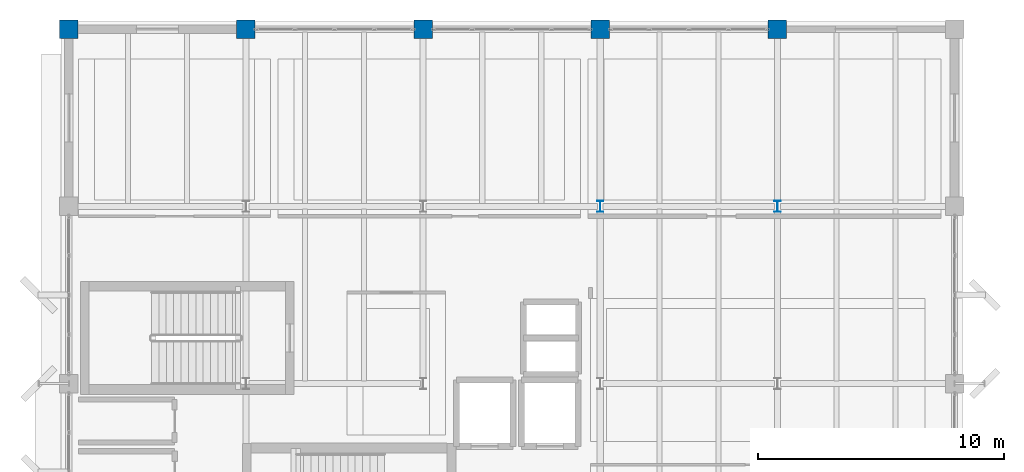
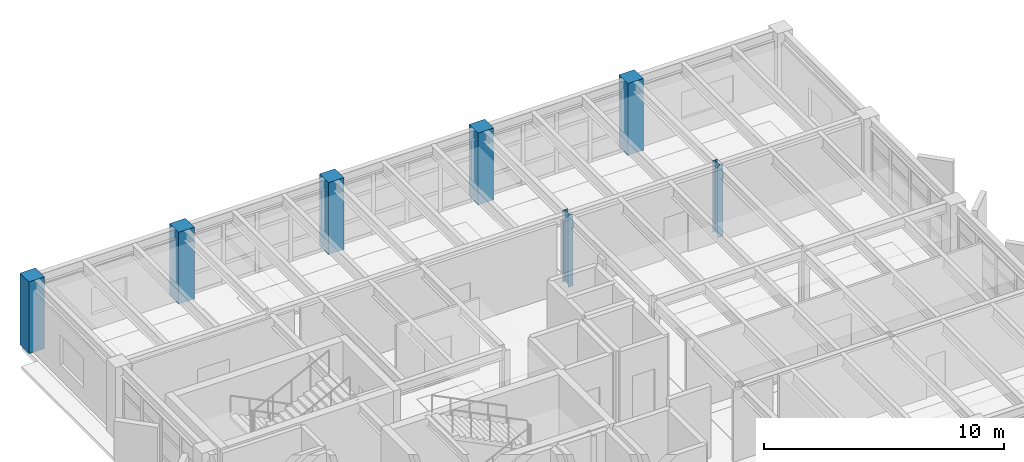
# One storey, part 2 of 24: 7 columns.
"""IFC4 building model written with IfcOpenShell, lengths in metres."""

import ifcopenshell
import ifcopenshell.guid

model = None  # the IFC model being written
_history = None  # IfcOwnerHistory: only IFC2X3 demands one
_inside = {}  # id of a spatial element -> (the spatial element, [elements in it])
_under = {}  # id of a project, library or spatial element -> (it, [spatial elements below it])
_declared = {}  # id of a project -> (the project, [libraries it declares])
_typed = {}  # id of a type object -> (the type object, [elements of that type])
_made_of = {}  # id of a material, layer set ... -> (it, [elements and type objects made of it])


def new_model(schema):
    """Start an empty IFC model of exactly this schema.

    Asked for "IFC4X3", IfcOpenShell would pick the latest addendum, in which some entities
    have other attributes; the version numbers below select the first issue.
    IFC2X3 requires an IfcOwnerHistory on every rooted entity: one is made here for all.
    """
    global model, _history
    if schema == "IFC4X3":
        model = ifcopenshell.file(schema_version=(4, 3, 0, 0))
    else:
        model = ifcopenshell.file(schema=schema)
    _inside.clear()
    _under.clear()
    _declared.clear()
    _typed.clear()
    _made_of.clear()
    _history = None
    if model.schema == "IFC2X3":
        org = make("IfcOrganization", Name="unknown")
        user = make(
            "IfcPersonAndOrganization",
            ThePerson=make("IfcPerson", FamilyName="unknown"),
            TheOrganization=org,
        )
        app = make(
            "IfcApplication",
            ApplicationDeveloper=org,
            Version="unknown",
            ApplicationFullName="unknown",
            ApplicationIdentifier="unknown",
        )
        _history = make(
            "IfcOwnerHistory",
            OwningUser=user,
            OwningApplication=app,
            ChangeAction="ADDED",
            CreationDate=0,
        )
    return model


def make(cls, **values):
    """One entity of the class cls with the attributes given. An attribute that is None is left unset."""
    return model.create_entity(
        cls, **{name: value for name, value in values.items() if value is not None}
    )


def rooted(cls, **values):
    """An entity with a GlobalId (a new one), such as an element, a storey or a relation."""
    return make(cls, GlobalId=ifcopenshell.guid.new(), OwnerHistory=_history, **values)


def si_unit(unit_type, name, prefix=None):
    """IfcSIUnit, for example si_unit("LENGTHUNIT", "METRE", prefix="MILLI")."""
    return make("IfcSIUnit", UnitType=unit_type, Prefix=prefix, Name=name)


def assignment(units):
    """IfcUnitAssignment: the units of a project."""
    return None if units is None else make("IfcUnitAssignment", Units=units)


def point(xyz):
    """IfcCartesianPoint."""
    return None if xyz is None else make("IfcCartesianPoint", Coordinates=xyz)


def direction(xyz):
    """IfcDirection."""
    return None if xyz is None else make("IfcDirection", DirectionRatios=xyz)


def frame(location, z_axis=None, x_axis=None):
    """IfcAxis2Placement3D, a coordinate frame: its origin and axes. An axis left out is left unset."""
    return make(
        "IfcAxis2Placement3D",
        Location=point(location),
        Axis=direction(z_axis),
        RefDirection=direction(x_axis),
    )


def frame_2d(location, x_axis=None):
    """IfcAxis2Placement2D, a coordinate frame in the plane: its origin and x axis."""
    return make(
        "IfcAxis2Placement2D", Location=point(location), RefDirection=direction(x_axis)
    )


def origin():
    """The frame at (0, 0, 0) with its axes left unset."""
    return frame((0.0, 0.0, 0.0))


def origin_2d():
    """The frame at (0, 0) in the plane with its x axis left unset."""
    return frame_2d((0.0, 0.0))


def place(relative_to, where):
    """IfcLocalPlacement: puts the frame where relative to a parent placement (None: the world)."""
    return make(
        "IfcLocalPlacement", PlacementRelTo=relative_to, RelativePlacement=where
    )


def context(
    kind, dimensions, precision=None, world=None, true_north=None, identifier=None
):
    """IfcGeometricRepresentationContext, for example the 3D "Model" context."""
    return make(
        "IfcGeometricRepresentationContext",
        ContextIdentifier=identifier,
        ContextType=kind,
        CoordinateSpaceDimension=dimensions,
        Precision=precision,
        WorldCoordinateSystem=world,
        TrueNorth=true_north,
    )


def subcontext(parent, identifier, kind, view, scale=None):
    """IfcGeometricRepresentationSubContext, for example "Body" below "Model"."""
    return make(
        "IfcGeometricRepresentationSubContext",
        ContextIdentifier=identifier,
        ContextType=kind,
        ParentContext=parent,
        TargetScale=scale,
        TargetView=view,
    )


def project(units=None, contexts=None):
    """IfcProject with its units and contexts."""
    return rooted(
        "IfcProject",
        Name="project",
        RepresentationContexts=contexts,
        UnitsInContext=assignment(units),
    )


def spatial(cls, under=None, at=None, **own):
    """A site, building, storey or space (cls), placed at a placement, below another one or the project."""
    s = rooted(cls, ObjectPlacement=at, **own)
    if under is not None:
        _under.setdefault(under.id(), (under, []))[1].append(s)
    return s


def profile(cls, at=None, kind="AREA", **sizes):
    """A parametric profile (cls). Its sizes go by their IFC names, for example OverallWidth=200.0."""
    return make(cls, ProfileType=kind, Position=at, **sizes)


def rectangle(**sizes):
    """IfcRectangleProfileDef."""
    return profile("IfcRectangleProfileDef", **sizes)


def i_section(**sizes):
    """IfcIShapeProfileDef."""
    return profile("IfcIShapeProfileDef", **sizes)


def extrude(swept, where, along, depth):
    """IfcExtrudedAreaSolid: the profile swept, set in the frame where, extruded along a direction by depth."""
    return make(
        "IfcExtrudedAreaSolid",
        SweptArea=swept,
        Position=where,
        ExtrudedDirection=direction(along),
        Depth=depth,
    )


def shape(context_of_items, identifier, shape_type, items):
    """IfcShapeRepresentation: the items that make up one representation, for example the "Body"."""
    return make(
        "IfcShapeRepresentation",
        ContextOfItems=context_of_items,
        RepresentationIdentifier=identifier,
        RepresentationType=shape_type,
        Items=items,
    )


def material(Name=None, Category=None):
    """IfcMaterial."""
    return make("IfcMaterial", Name=Name, Category=Category)


def material_profile(
    of_material, cross_section, Name=None, Category=None, Priority=None
):
    """IfcMaterialProfile: a cross section and its material."""
    return make(
        "IfcMaterialProfile",
        Name=Name,
        Material=of_material,
        Profile=cross_section,
        Priority=Priority,
        Category=Category,
    )


def profile_set(profiles, Name=None, composite=None):
    """IfcMaterialProfileSet."""
    return make(
        "IfcMaterialProfileSet",
        Name=Name,
        MaterialProfiles=profiles,
        CompositeProfile=composite,
    )


def made_of(thing, what):
    """Note that an element or type object is made of a material, layer set ...; save() writes the relation."""
    if what is not None:
        _made_of.setdefault(what.id(), (what, []))[1].append(thing)
    return thing


def type_object(cls, material=None, **own):
    """A type object (cls), such as IfcWallType, which elements share."""
    return made_of(rooted(cls, **own), material)


def element(
    cls,
    number,
    at=None,
    inside=None,
    cuts=None,
    type_object=None,
    material=None,
    context=None,
    identifier="Body",
    shape_type=None,
    held_by="IfcProductDefinitionShape",
    body=None,
    shapes=None,
    **own,
):
    """One element of the class cls, such as IfcWall. Its Tag is "e" and its number.

    at: its placement. inside: the storey or other place that contains it. cuts: it is an
    opening in that element (IfcRelVoidsElement). A single representation is given by context,
    identifier, shape_type and body (its items); several are given by shapes. held_by: the class
    of the entity that holds the representations. save() writes the other relations.
    """
    e = rooted(cls, Tag="e%d" % number, ObjectPlacement=at, **own)
    if body is not None:
        shapes = [shape(context, identifier, shape_type, body)]
    if shapes is not None:
        e.Representation = make(held_by, Representations=shapes)
    if inside is not None:
        _inside.setdefault(inside.id(), (inside, []))[1].append(e)
    if cuts is not None:
        rooted(
            "IfcRelVoidsElement", RelatingBuildingElement=cuts, RelatedOpeningElement=e
        )
    if type_object is not None:
        _typed.setdefault(type_object.id(), (type_object, []))[1].append(e)
    return made_of(e, material)


def aggregate(whole, parts):
    """IfcRelAggregates: a whole, such as a stair, and the parts it consists of."""
    return rooted("IfcRelAggregates", RelatingObject=whole, RelatedObjects=parts)


def save(model, path):
    """Write the relations noted so far, then the file.

    IfcRelAggregates (storeys below a building ...), IfcRelContainedInSpatialStructure (elements
    in a storey), IfcRelDefinesByType, IfcRelAssociatesMaterial and IfcRelDeclares: one each for
    every whole, place, type object, material and project.
    """
    for whole, parts in _under.values():
        aggregate(whole, parts)
    for where, things in _inside.values():
        rooted(
            "IfcRelContainedInSpatialStructure",
            RelatedElements=things,
            RelatingStructure=where,
        )
    for kind, things in _typed.values():
        rooted("IfcRelDefinesByType", RelatedObjects=things, RelatingType=kind)
    for what, things in _made_of.values():
        rooted("IfcRelAssociatesMaterial", RelatedObjects=things, RelatingMaterial=what)
    for by, libraries in _declared.values():
        rooted("IfcRelDeclares", RelatingContext=by, RelatedDefinitions=libraries)
    model.write(path)


model = new_model("IFC4")

# Units and contexts
model_context = context("Model", 3, precision=1e-05, world=origin(), true_north=direction((0.0, 1.0)))
body_context = subcontext(model_context, "Body", "Model", "MODEL_VIEW")
ifc_project = project(units=[si_unit("LENGTHUNIT", "METRE"), si_unit("AREAUNIT", "SQUARE_METRE"), si_unit("VOLUMEUNIT", "CUBIC_METRE"), si_unit("PLANEANGLEUNIT", "RADIAN"), si_unit("MASSUNIT", "GRAM", prefix="KILO")], contexts=[model_context])

# Site, building, storey
site_placement = place(None, origin())
site = spatial("IfcSite", under=ifc_project, at=site_placement, CompositionType="ELEMENT")
building_placement = place(site_placement, origin())
building = spatial("IfcBuilding", under=site, at=building_placement, Name="Kandorven Conservatory and Botanical Research Centre", CompositionType="ELEMENT")
storey_placement = place(building_placement, frame((0.0, 0.0, 24.89990234375)))
storey = spatial("IfcBuildingStorey", under=building, at=storey_placement, Name="L06", CompositionType="ELEMENT", Elevation=24.89990234375)

# Columns
ifc_material_1 = material(Name="Steel S355 (IS 2062 E350)", Category="steel")
ifc_material_profile_1 = material_profile(ifc_material_1, i_section(OverallWidth=0.25, OverallDepth=0.449951171875, WebThickness=0.01123046875, FlangeThickness=0.013671875, at=origin_2d()))
ifc_profile_set_1 = profile_set([ifc_material_profile_1], Name="Steel S355 (IS 2062 E350)")
column_type_1 = type_object("IfcColumnType", Name="Col_SC-01", PredefinedType="COLUMN", material=ifc_profile_set_1)
for number, where, z_axis, x_axis, name in (
    (1, (27.60009765625, 27.60009765625, 0.0), (0.0, 0.0, 1.0), (1.0, 0.0, 0.0), "Column SC-01 TWR L06 (4,4)"),
    (2, (34.800048828125, 27.60009765625, 0.0), (0.0, 0.0, 1.0), (1.0, 0.0, 0.0), "Column SC-01 TWR L06 (5,4)"),
):
    element("IfcColumn", number, at=place(storey_placement, frame(where, z_axis=z_axis, x_axis=x_axis)), inside=storey, type_object=column_type_1, Name=name, PredefinedType="COLUMN", context=body_context, shape_type="SweptSolid", body=[
        extrude(i_section(OverallWidth=0.25, OverallDepth=0.449951171875, WebThickness=0.01123046875, FlangeThickness=0.013671875, at=origin_2d()), origin(), (0.0, 0.0, 1.0), 3.650146484375),
    ])
ifc_material_2 = material(Name="Concrete C40/50 (M50)", Category="concrete")
ifc_material_profile_2 = material_profile(ifc_material_2, rectangle(XDim=0.75, YDim=0.75, at=origin_2d()))
ifc_profile_set_2 = profile_set([ifc_material_profile_2], Name="Concrete C40/50 (M50)")
column_type_2 = type_object("IfcColumnType", Name="Col_TC-03", PredefinedType="COLUMN", material=ifc_profile_set_2)
for number, where, z_axis, x_axis, name in (
    (3, (6.0, 34.800048828125, 0.0), (0.0, 0.0, 1.0), (1.0, 0.0, 0.0), "Column TC-03 TWR L06 (1,5)"),
    (4, (13.199951171875, 34.800048828125, 0.0), (0.0, 0.0, 1.0), (1.0, 0.0, 0.0), "Column TC-03 TWR L06 (2,5)"),
    (5, (20.39990234375, 34.800048828125, 0.0), (0.0, 0.0, 1.0), (1.0, 0.0, 0.0), "Column TC-03 TWR L06 (3,5)"),
    (6, (27.60009765625, 34.800048828125, 0.0), (0.0, 0.0, 1.0), (1.0, 0.0, 0.0), "Column TC-03 TWR L06 (4,5)"),
    (7, (34.800048828125, 34.800048828125, 0.0), (0.0, 0.0, 1.0), (1.0, 0.0, 0.0), "Column TC-03 TWR L06 (5,5)"),
):
    element("IfcColumn", number, at=place(storey_placement, frame(where, z_axis=z_axis, x_axis=x_axis)), inside=storey, type_object=column_type_2, Name=name, PredefinedType="COLUMN", context=body_context, shape_type="SweptSolid", body=[
        extrude(rectangle(XDim=0.75, YDim=0.75, at=origin_2d()), origin(), (0.0, 0.0, 1.0), 3.650146484375),
    ])

save(model, "model.ifc")
